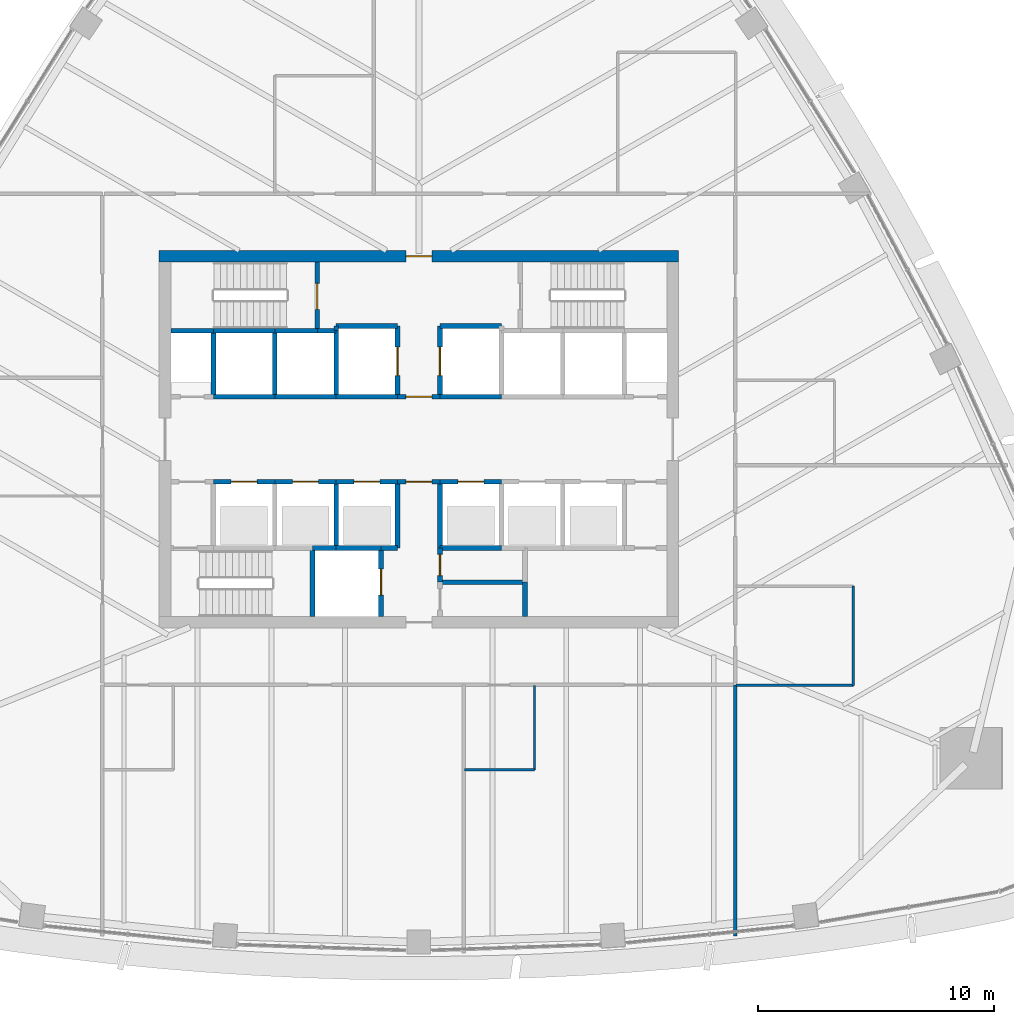
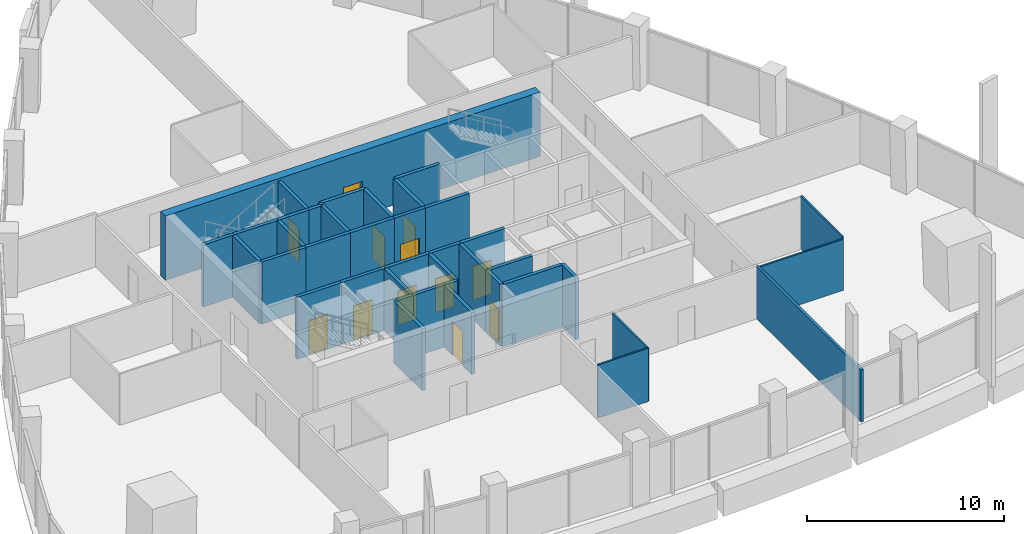
# One storey, part 10 of 19: 41 walls, 12 doors, 12 openings.
"""IFC4 building model written with IfcOpenShell, lengths in metres."""

from ifc_helpers import new_model, si_unit, direction, frame, frame_2d, origin, place, context, subcontext, project, spatial, rectangle, extrude, material, layer, layer_set, type_object, element, fill, save


model = new_model("IFC4")

# Units and contexts
model_context = context("Model", 3, precision=1e-05, world=origin(), true_north=direction((0.0, 1.0)))
body_context = subcontext(model_context, "Body", "Model", "MODEL_VIEW")
ifc_project = project(units=[si_unit("LENGTHUNIT", "METRE"), si_unit("AREAUNIT", "SQUARE_METRE"), si_unit("VOLUMEUNIT", "CUBIC_METRE"), si_unit("PLANEANGLEUNIT", "RADIAN"), si_unit("MASSUNIT", "GRAM", prefix="KILO")], contexts=[model_context])

# Site, building, storey
site_placement = place(None, origin())
site = spatial("IfcSite", under=ifc_project, at=site_placement, CompositionType="ELEMENT")
building_placement = place(site_placement, origin())
building = spatial("IfcBuilding", under=site, at=building_placement, Name="Sierra Prisma Convention Tower", CompositionType="ELEMENT")
storey_placement = place(building_placement, frame((0.0, 0.0, 185.800048828125)))
storey = spatial("IfcBuildingStorey", under=building, at=storey_placement, Name="L41", CompositionType="ELEMENT", Elevation=185.800048828125)

# Walls
ifc_material_1 = material(Name="Gypsum board partition", Category="gypsum")
ifc_layer_1 = layer(ifc_material_1, 0.10009765625)
ifc_layer_set_1 = layer_set([ifc_layer_1], Name="Bathroom partition 100")
wall_type_1 = type_object("IfcWallType", Name="Bathroom partition 100", PredefinedType="PARTITIONING", material=ifc_layer_set_1)
wall_1_placement = place(storey_placement, frame((4.89990234375, -10.429931640625, 0.0), z_axis=(0.0, 0.0, 1.0), x_axis=(0.0, -1.0, 0.0)))
element("IfcWall", 1, at=wall_1_placement, inside=storey, type_object=wall_type_1, Name="Partition L41 bath 7", PredefinedType="PARTITIONING", context=body_context, shape_type="SweptSolid", body=[
    extrude(rectangle(XDim=3.570068359375, YDim=0.10009765625, at=frame_2d((1.78515625, 0.0))), origin(), (0.0, 0.0, 1.0), 3.300048828125),
])
wall_2_placement = place(storey_placement, frame((4.89990234375, -14.0, 0.0), z_axis=(0.0, 0.0, 1.0), x_axis=(-1.0, 0.0, 0.0)))
element("IfcWall", 2, at=wall_2_placement, inside=storey, type_object=wall_type_1, Name="Partition L41 bath 8", PredefinedType="PARTITIONING", context=body_context, shape_type="SweptSolid", body=[
    extrude(rectangle(XDim=2.969970703125, YDim=0.10009765625, at=frame_2d((1.48486328125, 0.0))), origin(), (0.0, 0.0, 1.0), 3.300048828125),
])
wall_3_placement = place(storey_placement, frame((18.39990234375, -6.219970703125, 0.0), z_axis=(0.0, 0.0, 1.0), x_axis=(0.0, -1.0, 0.0)))
element("IfcWall", 3, at=wall_3_placement, inside=storey, type_object=wall_type_1, Name="Partition L41 bath 13", PredefinedType="PARTITIONING", context=body_context, shape_type="SweptSolid", body=[
    extrude(rectangle(XDim=4.199951171875, YDim=0.10009765625, at=frame_2d((2.10009765625, 0.0))), origin(), (0.0, 0.0, 1.0), 3.300048828125),
])
wall_4_placement = place(storey_placement, frame((18.39990234375, -10.419921875, 0.0), z_axis=(0.0, 0.0, 1.0), x_axis=(-1.0, 0.0, 0.0)))
element("IfcWall", 4, at=wall_4_placement, inside=storey, type_object=wall_type_1, Name="Partition L41 bath 14", PredefinedType="PARTITIONING", context=body_context, shape_type="SweptSolid", body=[
    extrude(rectangle(XDim=4.969970703125, YDim=0.10009765625, at=frame_2d((2.48486328125, 0.0))), origin(), (0.0, 0.0, 1.0), 3.166015625),
])
ifc_material_2 = material(Name="Concrete C30/37", Category="concrete")
ifc_layer_2 = layer(ifc_material_2, 0.199951171875)
ifc_layer_set_2 = layer_set([ifc_layer_2], Name="Core wall RC 200 C30/37")
wall_type_2 = type_object("IfcWallType", Name="Core wall RC 200 C30/37", PredefinedType="SOLIDWALL", material=ifc_layer_set_2)
wall_5_placement = place(storey_placement, frame((-8.699951171875, 4.60009765625, 0.0), z_axis=(0.0, 0.0, 1.0), x_axis=(-1.0, 0.0, 0.0)))
element("IfcWall", 5, at=wall_5_placement, inside=storey, type_object=wall_type_2, Name="Core wall L41 4", PredefinedType="SOLIDWALL", context=body_context, shape_type="SweptSolid", body=[
    extrude(rectangle(XDim=1.800048828125, YDim=0.199951171875, at=frame_2d((0.89990234375, 0.0))), origin(), (0.0, 0.0, 1.0), 3.849853515625),
])

# Wall, opening, door
wall_6_placement = place(storey_placement, frame((-8.699951171875, -1.800048828125, 0.0), z_axis=(0.0, 0.0, 1.0), x_axis=(1.0, 0.0, 0.0)))
wall_6 = element("IfcWall", 6, at=wall_6_placement, inside=storey, type_object=wall_type_2, Name="Core wall L41 7", PredefinedType="SOLIDWALL", context=body_context, shape_type="SweptSolid", body=[
    extrude(rectangle(XDim=2.599853515625, YDim=0.199951171875, at=frame_2d((1.2998046875, 0.0))), origin(), (0.0, 0.0, 1.0), 3.849853515625),
])
opening_1_placement = place(wall_6_placement, frame((0.75, 0.0, 0.0)))
opening_1 = element("IfcOpeningElement", 7, at=opening_1_placement, cuts=wall_6, Name="Opening L41-D001", PredefinedType="OPENING", context=body_context, shape_type="SweptSolid", body=[
    extrude(rectangle(XDim=1.10009765625, YDim=2.10009765625, at=frame_2d((0.550048828125, 1.050048828125))), frame((0.0, 0.10009765625, 0.0), z_axis=(0.0, -1.0, 0.0), x_axis=(1.0, 0.0, 0.0)), (0.0, 0.0, 1.0), 0.199951171875),
])
ifc_material_3 = material(Name="Steel fire door leaf", Category="steel")
door_type_1 = type_object("IfcDoorType", Name="Door 1100x2100 EI 90 sliding lift landing", OperationType="SLIDING_TO_LEFT", PredefinedType="DOOR", material=ifc_material_3)
door_1_placement = place(opening_1_placement, origin())
door_1 = element("IfcDoor", 8, at=door_1_placement, inside=storey, type_object=door_type_1, Name="Door L41 16", OperationType="SLIDING_TO_RIGHT", OverallHeight=2.10009765625, OverallWidth=1.10009765625, PredefinedType="DOOR", context=body_context, shape_type="SweptSolid", body=[
    extrude(rectangle(XDim=1.10009765625, YDim=2.10009765625, at=frame_2d((0.550048828125, 1.050048828125))), frame((0.0, 0.02490234375, 0.0), z_axis=(0.0, -1.0, 0.0), x_axis=(1.0, 0.0, 0.0)), (0.0, 0.0, 1.0), 0.050048828125),
])
fill(opening_1, door_1)

# Walls
wall_7_placement = place(storey_placement, frame((-6.10009765625, 1.800048828125, 0.0), z_axis=(0.0, 0.0, 1.0), x_axis=(-1.0, 0.0, 0.0)))
element("IfcWall", 9, at=wall_7_placement, inside=storey, type_object=wall_type_2, Name="Core wall L41 8", PredefinedType="SOLIDWALL", context=body_context, shape_type="SweptSolid", body=[
    extrude(rectangle(XDim=2.599853515625, YDim=0.199951171875, at=frame_2d((1.2998046875, 0.0))), origin(), (0.0, 0.0, 1.0), 3.849853515625),
])
wall_8_placement = place(storey_placement, frame((-8.699951171875, 1.800048828125, 0.0), z_axis=(0.0, 0.0, 1.0), x_axis=(0.0, 1.0, 0.0)))
element("IfcWall", 10, at=wall_8_placement, inside=storey, type_object=wall_type_2, Name="Core wall L41 9", PredefinedType="SOLIDWALL", context=body_context, shape_type="SweptSolid", body=[
    extrude(rectangle(XDim=2.800048828125, YDim=0.199951171875, at=frame_2d((1.39990234375, 0.0))), origin(), (0.0, 0.0, 1.0), 3.849853515625),
])
wall_9_placement = place(storey_placement, frame((-6.10009765625, 4.60009765625, 0.0), z_axis=(0.0, 0.0, 1.0), x_axis=(-1.0, 0.0, 0.0)))
element("IfcWall", 11, at=wall_9_placement, inside=storey, type_object=wall_type_2, Name="Core wall L41 10", PredefinedType="SOLIDWALL", context=body_context, shape_type="SweptSolid", body=[
    extrude(rectangle(XDim=2.599853515625, YDim=0.199951171875, at=frame_2d((1.2998046875, 0.0))), origin(), (0.0, 0.0, 1.0), 3.849853515625),
])

# Wall, opening, door
wall_10_placement = place(storey_placement, frame((-6.10009765625, -1.800048828125, 0.0), z_axis=(0.0, 0.0, 1.0), x_axis=(1.0, 0.0, 0.0)))
wall_10 = element("IfcWall", 12, at=wall_10_placement, inside=storey, type_object=wall_type_2, Name="Core wall L41 13", PredefinedType="SOLIDWALL", context=body_context, shape_type="SweptSolid", body=[
    extrude(rectangle(XDim=2.60009765625, YDim=0.199951171875, at=frame_2d((1.300048828125, 0.0))), origin(), (0.0, 0.0, 1.0), 3.849853515625),
])
opening_2_placement = place(wall_10_placement, frame((0.75, 0.0, 0.0)))
opening_2 = element("IfcOpeningElement", 13, at=opening_2_placement, cuts=wall_10, Name="Opening L41-D002", PredefinedType="OPENING", context=body_context, shape_type="SweptSolid", body=[
    extrude(rectangle(XDim=1.10009765625, YDim=2.10009765625, at=frame_2d((0.550048828125, 1.050048828125))), frame((0.0, 0.10009765625, 0.0), z_axis=(0.0, -1.0, 0.0), x_axis=(1.0, 0.0, 0.0)), (0.0, 0.0, 1.0), 0.199951171875),
])
door_2_placement = place(opening_2_placement, origin())
door_2 = element("IfcDoor", 14, at=door_2_placement, inside=storey, type_object=door_type_1, Name="Door L41 17", OperationType="SLIDING_TO_RIGHT", OverallHeight=2.10009765625, OverallWidth=1.10009765625, PredefinedType="DOOR", context=body_context, shape_type="SweptSolid", body=[
    extrude(rectangle(XDim=1.10009765625, YDim=2.10009765625, at=frame_2d((0.550048828125, 1.050048828125))), frame((0.0, 0.02490234375, 0.0), z_axis=(0.0, -1.0, 0.0), x_axis=(1.0, 0.0, 0.0)), (0.0, 0.0, 1.0), 0.050048828125),
])
fill(opening_2, door_2)

# Walls
wall_11_placement = place(storey_placement, frame((-3.5, 1.800048828125, 0.0), z_axis=(0.0, 0.0, 1.0), x_axis=(-1.0, 0.0, 0.0)))
element("IfcWall", 15, at=wall_11_placement, inside=storey, type_object=wall_type_2, Name="Core wall L41 14", PredefinedType="SOLIDWALL", context=body_context, shape_type="SweptSolid", body=[
    extrude(rectangle(XDim=2.60009765625, YDim=0.199951171875, at=frame_2d((1.300048828125, 0.0))), origin(), (0.0, 0.0, 1.0), 3.849853515625),
])
wall_12_placement = place(storey_placement, frame((-6.10009765625, 1.800048828125, 0.0), z_axis=(0.0, 0.0, 1.0), x_axis=(0.0, 1.0, 0.0)))
element("IfcWall", 16, at=wall_12_placement, inside=storey, type_object=wall_type_2, Name="Core wall L41 15", PredefinedType="SOLIDWALL", context=body_context, shape_type="SweptSolid", body=[
    extrude(rectangle(XDim=2.800048828125, YDim=0.199951171875, at=frame_2d((1.39990234375, 0.0))), origin(), (0.0, 0.0, 1.0), 3.849853515625),
])
wall_13_placement = place(storey_placement, frame((-4.300048828125, 4.60009765625, 0.0), z_axis=(0.0, 0.0, 1.0), x_axis=(-1.0, 0.0, 0.0)))
element("IfcWall", 17, at=wall_13_placement, inside=storey, type_object=wall_type_2, Name="Core wall L41 16", PredefinedType="SOLIDWALL", context=body_context, shape_type="SweptSolid", body=[
    extrude(rectangle(XDim=1.800048828125, YDim=0.199951171875, at=frame_2d((0.89990234375, 0.0))), origin(), (0.0, 0.0, 1.0), 3.849853515625),
])
wall_14_placement = place(storey_placement, frame((-4.5, -4.60009765625, 0.0), z_axis=(0.0, 0.0, 1.0), x_axis=(0.0, -1.0, 0.0)))
element("IfcWall", 18, at=wall_14_placement, inside=storey, type_object=wall_type_2, Name="Core wall L41 17", PredefinedType="SOLIDWALL", context=body_context, shape_type="SweptSolid", body=[
    extrude(rectangle(XDim=2.89990234375, YDim=0.199951171875, at=frame_2d((1.449951171875, 0.0))), origin(), (0.0, 0.0, 1.0), 3.849853515625),
])
wall_15_placement = place(storey_placement, frame((-4.5, -4.60009765625, 0.0), z_axis=(0.0, 0.0, 1.0), x_axis=(1.0, 0.0, 0.0)))
element("IfcWall", 19, at=wall_15_placement, inside=storey, type_object=wall_type_2, Name="Core wall L41 18", PredefinedType="SOLIDWALL", context=body_context, shape_type="SweptSolid", body=[
    extrude(rectangle(XDim=1.0, YDim=0.199951171875, at=frame_2d((0.5, 0.0))), origin(), (0.0, 0.0, 1.0), 3.849853515625),
])
wall_16_placement = place(storey_placement, frame((-3.5, 4.60009765625, 0.0), z_axis=(0.0, 0.0, 1.0), x_axis=(-1.0, 0.0, 0.0)))
element("IfcWall", 20, at=wall_16_placement, inside=storey, type_object=wall_type_2, Name="Core wall L41 19", PredefinedType="SOLIDWALL", context=body_context, shape_type="SweptSolid", body=[
    extrude(rectangle(XDim=0.800048828125, YDim=0.199951171875, at=frame_2d((0.39990234375, 0.0))), origin(), (0.0, 0.0, 1.0), 3.849853515625),
])

# Wall, opening, door
wall_17_placement = place(storey_placement, frame((-4.300048828125, 4.60009765625, 0.0), z_axis=(0.0, 0.0, 1.0), x_axis=(0.0, 1.0, 0.0)))
wall_17 = element("IfcWall", 21, at=wall_17_placement, inside=storey, type_object=wall_type_2, Name="Core wall L41 20", PredefinedType="SOLIDWALL", context=body_context, shape_type="SweptSolid", body=[
    extrude(rectangle(XDim=2.89990234375, YDim=0.199951171875, at=frame_2d((1.449951171875, 0.0))), origin(), (0.0, 0.0, 1.0), 3.849853515625),
])
opening_3_placement = place(wall_17_placement, frame((0.89990234375, 0.0, 0.0)))
opening_3 = element("IfcOpeningElement", 22, at=opening_3_placement, cuts=wall_17, Name="Opening L41-D016", PredefinedType="OPENING", context=body_context, shape_type="SweptSolid", body=[
    extrude(rectangle(XDim=1.10009765625, YDim=2.10009765625, at=frame_2d((0.550048828125, 1.050048828125))), frame((0.0, 0.10009765625, 0.0), z_axis=(0.0, -1.0, 0.0), x_axis=(1.0, 0.0, 0.0)), (0.0, 0.0, 1.0), 0.199951171875),
])
ifc_material_4 = material(Name="Steel fire door leaf", Category="steel")
door_type_2 = type_object("IfcDoorType", Name="Door 1100x2100 FD90S", OperationType="SINGLE_SWING_LEFT", PredefinedType="DOOR", material=ifc_material_4)
door_3_placement = place(opening_3_placement, origin())
door_3 = element("IfcDoor", 23, at=door_3_placement, inside=storey, type_object=door_type_2, Name="Door L41 31", OperationType="SINGLE_SWING_LEFT", OverallHeight=2.10009765625, OverallWidth=1.10009765625, PredefinedType="DOOR", context=body_context, shape_type="SweptSolid", body=[
    extrude(rectangle(XDim=1.10009765625, YDim=2.10009765625, at=frame_2d((0.550048828125, 1.050048828125))), frame((0.0, 0.02490234375, 0.0), z_axis=(0.0, -1.0, 0.0), x_axis=(1.0, 0.0, 0.0)), (0.0, 0.0, 1.0), 0.050048828125),
])
fill(opening_3, door_3)

# Walls
wall_18_placement = place(storey_placement, frame((-3.5, -4.60009765625, 0.0), z_axis=(0.0, 0.0, 1.0), x_axis=(1.0, 0.0, 0.0)))
element("IfcWall", 24, at=wall_18_placement, inside=storey, type_object=wall_type_2, Name="Core wall L41 21", PredefinedType="SOLIDWALL", context=body_context, shape_type="SweptSolid", body=[
    extrude(rectangle(XDim=1.89990234375, YDim=0.199951171875, at=frame_2d((0.949951171875, 0.0))), origin(), (0.0, 0.0, 1.0), 3.849853515625),
])
wall_19_placement = place(storey_placement, frame((-3.5, -4.60009765625, 0.0), z_axis=(0.0, 0.0, 1.0), x_axis=(0.0, 1.0, 0.0)))
element("IfcWall", 25, at=wall_19_placement, inside=storey, type_object=wall_type_2, Name="Core wall L41 22", PredefinedType="SOLIDWALL", context=body_context, shape_type="SweptSolid", body=[
    extrude(rectangle(XDim=2.800048828125, YDim=0.199951171875, at=frame_2d((1.39990234375, 0.0))), origin(), (0.0, 0.0, 1.0), 3.849853515625),
])

# Wall, opening, door
wall_20_placement = place(storey_placement, frame((-3.5, -1.800048828125, 0.0), z_axis=(0.0, 0.0, 1.0), x_axis=(1.0, 0.0, 0.0)))
wall_20 = element("IfcWall", 26, at=wall_20_placement, inside=storey, type_object=wall_type_2, Name="Core wall L41 23", PredefinedType="SOLIDWALL", context=body_context, shape_type="SweptSolid", body=[
    extrude(rectangle(XDim=2.60009765625, YDim=0.199951171875, at=frame_2d((1.300048828125, 0.0))), origin(), (0.0, 0.0, 1.0), 3.849853515625),
])
opening_4_placement = place(wall_20_placement, frame((0.75, 0.0, 0.0)))
opening_4 = element("IfcOpeningElement", 27, at=opening_4_placement, cuts=wall_20, Name="Opening L41-D003", PredefinedType="OPENING", context=body_context, shape_type="SweptSolid", body=[
    extrude(rectangle(XDim=1.10009765625, YDim=2.10009765625, at=frame_2d((0.550048828125, 1.050048828125))), frame((0.0, 0.10009765625, 0.0), z_axis=(0.0, -1.0, 0.0), x_axis=(1.0, 0.0, 0.0)), (0.0, 0.0, 1.0), 0.199951171875),
])
door_4_placement = place(opening_4_placement, origin())
door_4 = element("IfcDoor", 28, at=door_4_placement, inside=storey, type_object=door_type_1, Name="Door L41 18", OperationType="SLIDING_TO_RIGHT", OverallHeight=2.10009765625, OverallWidth=1.10009765625, PredefinedType="DOOR", context=body_context, shape_type="SweptSolid", body=[
    extrude(rectangle(XDim=1.10009765625, YDim=2.10009765625, at=frame_2d((0.550048828125, 1.050048828125))), frame((0.0, 0.02490234375, 0.0), z_axis=(0.0, -1.0, 0.0), x_axis=(1.0, 0.0, 0.0)), (0.0, 0.0, 1.0), 0.050048828125),
])
fill(opening_4, door_4)

# Walls
wall_21_placement = place(storey_placement, frame((-0.89990234375, 1.800048828125, 0.0), z_axis=(0.0, 0.0, 1.0), x_axis=(-1.0, 0.0, 0.0)))
element("IfcWall", 29, at=wall_21_placement, inside=storey, type_object=wall_type_2, Name="Core wall L41 24", PredefinedType="SOLIDWALL", context=body_context, shape_type="SweptSolid", body=[
    extrude(rectangle(XDim=2.60009765625, YDim=0.199951171875, at=frame_2d((1.300048828125, 0.0))), origin(), (0.0, 0.0, 1.0), 3.849853515625),
])
wall_22_placement = place(storey_placement, frame((-3.5, 4.60009765625, 0.0), z_axis=(0.0, 0.0, 1.0), x_axis=(0.0, -1.0, 0.0)))
element("IfcWall", 30, at=wall_22_placement, inside=storey, type_object=wall_type_2, Name="Core wall L41 25", PredefinedType="SOLIDWALL", context=body_context, shape_type="SweptSolid", body=[
    extrude(rectangle(XDim=2.800048828125, YDim=0.199951171875, at=frame_2d((1.39990234375, 0.0))), origin(), (0.0, 0.0, 1.0), 3.849853515625),
])

# Wall, opening, door
wall_23_placement = place(storey_placement, frame((-0.89990234375, 1.800048828125, 0.0), z_axis=(0.0, 0.0, 1.0), x_axis=(0.0, 1.0, 0.0)))
wall_23 = element("IfcWall", 31, at=wall_23_placement, inside=storey, type_object=wall_type_2, Name="Core wall L41 26", PredefinedType="SOLIDWALL", context=body_context, shape_type="SweptSolid", body=[
    extrude(rectangle(XDim=3.0, YDim=0.199951171875, at=frame_2d((1.5, 0.0))), origin(), (0.0, 0.0, 1.0), 3.849853515625),
])
opening_5_placement = place(wall_23_placement, frame((0.89990234375, 0.0, 0.0)))
opening_5 = element("IfcOpeningElement", 32, at=opening_5_placement, cuts=wall_23, Name="Opening L41-D007", PredefinedType="OPENING", context=body_context, shape_type="SweptSolid", body=[
    extrude(rectangle(XDim=1.199951171875, YDim=2.10009765625, at=frame_2d((0.60009765625, 1.050048828125))), frame((0.0, 0.10009765625, 0.0), z_axis=(0.0, -1.0, 0.0), x_axis=(1.0, 0.0, 0.0)), (0.0, 0.0, 1.0), 0.199951171875),
])
ifc_material_5 = material(Name="Steel fire door leaf", Category="steel")
door_type_3 = type_object("IfcDoorType", Name="Door 1200x2100 EI 90 sliding lift landing", OperationType="SLIDING_TO_LEFT", PredefinedType="DOOR", material=ifc_material_5)
door_5_placement = place(opening_5_placement, origin())
door_5 = element("IfcDoor", 33, at=door_5_placement, inside=storey, type_object=door_type_3, Name="Door L41 22", OperationType="SLIDING_TO_RIGHT", OverallHeight=2.10009765625, OverallWidth=1.199951171875, PredefinedType="DOOR", context=body_context, shape_type="SweptSolid", body=[
    extrude(rectangle(XDim=1.199951171875, YDim=2.10009765625, at=frame_2d((0.60009765625, 1.050048828125))), frame((0.0, 0.02490234375, 0.0), z_axis=(0.0, -1.0, 0.0), x_axis=(1.0, 0.0, 0.0)), (0.0, 0.0, 1.0), 0.050048828125),
])
fill(opening_5, door_5)

# Walls
wall_24_placement = place(storey_placement, frame((-0.89990234375, 4.800048828125, 0.0), z_axis=(0.0, 0.0, 1.0), x_axis=(-1.0, 0.0, 0.0)))
element("IfcWall", 34, at=wall_24_placement, inside=storey, type_object=wall_type_2, Name="Core wall L41 27", PredefinedType="SOLIDWALL", context=body_context, shape_type="SweptSolid", body=[
    extrude(rectangle(XDim=2.60009765625, YDim=0.199951171875, at=frame_2d((1.300048828125, 0.0))), origin(), (0.0, 0.0, 1.0), 3.849853515625),
])
wall_25_placement = place(storey_placement, frame((-3.5, 4.800048828125, 0.0), z_axis=(0.0, 0.0, 1.0), x_axis=(0.0, -1.0, 0.0)))
element("IfcWall", 35, at=wall_25_placement, inside=storey, type_object=wall_type_2, Name="Core wall L41 28", PredefinedType="SOLIDWALL", context=body_context, shape_type="SweptSolid", body=[
    extrude(rectangle(XDim=0.199951171875, YDim=0.199951171875, at=frame_2d((0.10009765625, 0.0))), origin(), (0.0, 0.0, 1.0), 3.849853515625),
])

# Wall, opening, door
wall_26_placement = place(storey_placement, frame((-1.60009765625, -7.5, 0.0), z_axis=(0.0, 0.0, 1.0), x_axis=(0.0, 1.0, 0.0)))
wall_26 = element("IfcWall", 36, at=wall_26_placement, inside=storey, type_object=wall_type_2, Name="Core wall L41 29", PredefinedType="SOLIDWALL", context=body_context, shape_type="SweptSolid", body=[
    extrude(rectangle(XDim=2.89990234375, YDim=0.199951171875, at=frame_2d((1.449951171875, 0.0))), origin(), (0.0, 0.0, 1.0), 3.849853515625),
])
opening_6_placement = place(wall_26_placement, frame((0.89990234375, 0.0, 0.0)))
opening_6 = element("IfcOpeningElement", 37, at=opening_6_placement, cuts=wall_26, Name="Opening L41-D009", PredefinedType="OPENING", context=body_context, shape_type="SweptSolid", body=[
    extrude(rectangle(XDim=1.10009765625, YDim=2.10009765625, at=frame_2d((0.550048828125, 1.050048828125))), frame((0.0, 0.10009765625, 0.0), z_axis=(0.0, -1.0, 0.0), x_axis=(1.0, 0.0, 0.0)), (0.0, 0.0, 1.0), 0.199951171875),
])
door_6_placement = place(opening_6_placement, origin())
door_6 = element("IfcDoor", 38, at=door_6_placement, inside=storey, type_object=door_type_1, Name="Door L41 24", OperationType="SLIDING_TO_RIGHT", OverallHeight=2.10009765625, OverallWidth=1.10009765625, PredefinedType="DOOR", context=body_context, shape_type="SweptSolid", body=[
    extrude(rectangle(XDim=1.10009765625, YDim=2.10009765625, at=frame_2d((0.550048828125, 1.050048828125))), frame((0.0, 0.02490234375, 0.0), z_axis=(0.0, -1.0, 0.0), x_axis=(1.0, 0.0, 0.0)), (0.0, 0.0, 1.0), 0.050048828125),
])
fill(opening_6, door_6)

# Walls
wall_27_placement = place(storey_placement, frame((-1.60009765625, -4.60009765625, 0.0), z_axis=(0.0, 0.0, 1.0), x_axis=(1.0, 0.0, 0.0)))
element("IfcWall", 39, at=wall_27_placement, inside=storey, type_object=wall_type_2, Name="Core wall L41 30", PredefinedType="SOLIDWALL", context=body_context, shape_type="SweptSolid", body=[
    extrude(rectangle(XDim=0.7001953125, YDim=0.199951171875, at=frame_2d((0.35009765625, 0.0))), origin(), (0.0, 0.0, 1.0), 3.849853515625),
])
wall_28_placement = place(storey_placement, frame((-0.89990234375, -4.60009765625, 0.0), z_axis=(0.0, 0.0, 1.0), x_axis=(0.0, 1.0, 0.0)))
element("IfcWall", 40, at=wall_28_placement, inside=storey, type_object=wall_type_2, Name="Core wall L41 31", PredefinedType="SOLIDWALL", context=body_context, shape_type="SweptSolid", body=[
    extrude(rectangle(XDim=2.800048828125, YDim=0.199951171875, at=frame_2d((1.39990234375, 0.0))), origin(), (0.0, 0.0, 1.0), 3.849853515625),
])

# Wall, opening, door
wall_29_placement = place(storey_placement, frame((-0.89990234375, -1.800048828125, 0.0), z_axis=(0.0, 0.0, 1.0), x_axis=(1.0, 0.0, 0.0)))
wall_29 = element("IfcWall", 41, at=wall_29_placement, inside=storey, type_object=wall_type_2, Name="Core wall L41 32", PredefinedType="SOLIDWALL", context=body_context, shape_type="SweptSolid", body=[
    extrude(rectangle(XDim=1.7998046875, YDim=0.199951171875, at=frame_2d((0.89990234375, 0.0))), origin(), (0.0, 0.0, 1.0), 3.849853515625),
])
opening_7_placement = place(wall_29_placement, frame((0.35009765625, 0.0, 0.0)))
opening_7 = element("IfcOpeningElement", 42, at=opening_7_placement, cuts=wall_29, Name="Opening L41-D012", PredefinedType="OPENING", context=body_context, shape_type="SweptSolid", body=[
    extrude(rectangle(XDim=1.10009765625, YDim=2.10009765625, at=frame_2d((0.550048828125, 1.050048828125))), frame((0.0, 0.10009765625, 0.0), z_axis=(0.0, -1.0, 0.0), x_axis=(1.0, 0.0, 0.0)), (0.0, 0.0, 1.0), 0.199951171875),
])
ifc_material_6 = material(Name="Steel fire door leaf", Category="steel")
door_type_4 = type_object("IfcDoorType", Name="Door 1100x2100 FD30S", OperationType="SINGLE_SWING_LEFT", PredefinedType="DOOR", material=ifc_material_6)
door_7_placement = place(opening_7_placement, origin())
door_7 = element("IfcDoor", 43, at=door_7_placement, inside=storey, type_object=door_type_4, Name="Door L41 27", OperationType="SINGLE_SWING_LEFT", OverallHeight=2.10009765625, OverallWidth=1.10009765625, PredefinedType="DOOR", context=body_context, shape_type="SweptSolid", body=[
    extrude(rectangle(XDim=1.10009765625, YDim=2.10009765625, at=frame_2d((0.550048828125, 1.050048828125))), frame((0.0, 0.02490234375, 0.0), z_axis=(0.0, -1.0, 0.0), x_axis=(1.0, 0.0, 0.0)), (0.0, 0.0, 1.0), 0.050048828125),
])
fill(opening_7, door_7)

wall_30_placement = place(storey_placement, frame((0.89990234375, 1.800048828125, 0.0), z_axis=(0.0, 0.0, 1.0), x_axis=(-1.0, 0.0, 0.0)))
wall_30 = element("IfcWall", 44, at=wall_30_placement, inside=storey, type_object=wall_type_2, Name="Core wall L41 33", PredefinedType="SOLIDWALL", context=body_context, shape_type="SweptSolid", body=[
    extrude(rectangle(XDim=1.7998046875, YDim=0.199951171875, at=frame_2d((0.89990234375, 0.0))), origin(), (0.0, 0.0, 1.0), 3.849853515625),
])
opening_8_placement = place(wall_30_placement, frame((0.35009765625, 0.0, 0.0)))
opening_8 = element("IfcOpeningElement", 45, at=opening_8_placement, cuts=wall_30, Name="Opening L41-D011", PredefinedType="OPENING", context=body_context, shape_type="SweptSolid", body=[
    extrude(rectangle(XDim=1.10009765625, YDim=2.10009765625, at=frame_2d((0.550048828125, 1.050048828125))), frame((0.0, 0.10009765625, 0.0), z_axis=(0.0, -1.0, 0.0), x_axis=(1.0, 0.0, 0.0)), (0.0, 0.0, 1.0), 0.199951171875),
])
ifc_material_7 = material(Name="Steel fire door leaf", Category="steel")
door_type_5 = type_object("IfcDoorType", Name="Door 1100x2100 FD60S", OperationType="SINGLE_SWING_LEFT", PredefinedType="DOOR", material=ifc_material_7)
door_8_placement = place(opening_8_placement, origin())
door_8 = element("IfcDoor", 46, at=door_8_placement, inside=storey, type_object=door_type_5, Name="Door L41 26", OperationType="SINGLE_SWING_RIGHT", OverallHeight=2.10009765625, OverallWidth=1.10009765625, PredefinedType="DOOR", context=body_context, shape_type="SweptSolid", body=[
    extrude(rectangle(XDim=1.10009765625, YDim=2.10009765625, at=frame_2d((0.550048828125, 1.050048828125))), frame((0.0, 0.02490234375, 0.0), z_axis=(0.0, -1.0, 0.0), x_axis=(1.0, 0.0, 0.0)), (0.0, 0.0, 1.0), 0.050048828125),
])
fill(opening_8, door_8)

# Wall
wall_31_placement = place(storey_placement, frame((4.5, -6.050048828125, 0.0), z_axis=(0.0, 0.0, 1.0), x_axis=(-1.0, 0.0, 0.0)))
element("IfcWall", 47, at=wall_31_placement, inside=storey, type_object=wall_type_2, Name="Core wall L41 35", PredefinedType="SOLIDWALL", context=body_context, shape_type="SweptSolid", body=[
    extrude(rectangle(XDim=3.60009765625, YDim=0.199951171875, at=frame_2d((1.800048828125, 0.0))), origin(), (0.0, 0.0, 1.0), 3.849853515625),
])

# Wall, opening, door
wall_32_placement = place(storey_placement, frame((0.89990234375, -4.60009765625, 0.0), z_axis=(0.0, 0.0, 1.0), x_axis=(0.0, -1.0, 0.0)))
wall_32 = element("IfcWall", 48, at=wall_32_placement, inside=storey, type_object=wall_type_2, Name="Core wall L41 36", PredefinedType="SOLIDWALL", context=body_context, shape_type="SweptSolid", body=[
    extrude(rectangle(XDim=1.449951171875, YDim=0.199951171875, at=frame_2d((0.72509765625, 0.0))), origin(), (0.0, 0.0, 1.0), 3.849853515625),
])
opening_9_placement = place(wall_32_placement, frame((0.27490234375, 0.0, 0.0)))
opening_9 = element("IfcOpeningElement", 49, at=opening_9_placement, cuts=wall_32, Name="Opening L41-D021", PredefinedType="OPENING", context=body_context, shape_type="SweptSolid", body=[
    extrude(rectangle(XDim=0.89990234375, YDim=2.10009765625, at=frame_2d((0.449951171875, 1.050048828125))), frame((0.0, 0.10009765625, 0.0), z_axis=(0.0, -1.0, 0.0), x_axis=(1.0, 0.0, 0.0)), (0.0, 0.0, 1.0), 0.199951171875),
])
ifc_material_8 = material(Name="Steel fire door leaf", Category="steel")
door_type_6 = type_object("IfcDoorType", Name="Door 900x2100 FD30S", OperationType="SINGLE_SWING_LEFT", PredefinedType="DOOR", material=ifc_material_8)
door_9_placement = place(opening_9_placement, origin())
door_9 = element("IfcDoor", 50, at=door_9_placement, inside=storey, type_object=door_type_6, Name="Door L41 36", OperationType="SINGLE_SWING_RIGHT", OverallHeight=2.10009765625, OverallWidth=0.89990234375, PredefinedType="DOOR", context=body_context, shape_type="SweptSolid", body=[
    extrude(rectangle(XDim=0.89990234375, YDim=2.10009765625, at=frame_2d((0.449951171875, 1.050048828125))), frame((0.0, 0.02490234375, 0.0), z_axis=(0.0, -1.0, 0.0), x_axis=(1.0, 0.0, 0.0)), (0.0, 0.0, 1.0), 0.050048828125),
])
fill(opening_9, door_9)

# Walls
wall_33_placement = place(storey_placement, frame((3.5, -4.60009765625, 0.0), z_axis=(0.0, 0.0, 1.0), x_axis=(-1.0, 0.0, 0.0)))
element("IfcWall", 51, at=wall_33_placement, inside=storey, type_object=wall_type_2, Name="Core wall L41 37", PredefinedType="SOLIDWALL", context=body_context, shape_type="SweptSolid", body=[
    extrude(rectangle(XDim=2.60009765625, YDim=0.199951171875, at=frame_2d((1.300048828125, 0.0))), origin(), (0.0, 0.0, 1.0), 3.849853515625),
])
wall_34_placement = place(storey_placement, frame((0.89990234375, -1.800048828125, 0.0), z_axis=(0.0, 0.0, 1.0), x_axis=(0.0, -1.0, 0.0)))
element("IfcWall", 52, at=wall_34_placement, inside=storey, type_object=wall_type_2, Name="Core wall L41 38", PredefinedType="SOLIDWALL", context=body_context, shape_type="SweptSolid", body=[
    extrude(rectangle(XDim=2.800048828125, YDim=0.199951171875, at=frame_2d((1.39990234375, 0.0))), origin(), (0.0, 0.0, 1.0), 3.849853515625),
])

# Wall, opening, door
wall_35_placement = place(storey_placement, frame((0.89990234375, -1.800048828125, 0.0), z_axis=(0.0, 0.0, 1.0), x_axis=(1.0, 0.0, 0.0)))
wall_35 = element("IfcWall", 53, at=wall_35_placement, inside=storey, type_object=wall_type_2, Name="Core wall L41 39", PredefinedType="SOLIDWALL", context=body_context, shape_type="SweptSolid", body=[
    extrude(rectangle(XDim=2.60009765625, YDim=0.199951171875, at=frame_2d((1.300048828125, 0.0))), origin(), (0.0, 0.0, 1.0), 3.849853515625),
])
opening_10_placement = place(wall_35_placement, frame((0.75, 0.0, 0.0)))
opening_10 = element("IfcOpeningElement", 54, at=opening_10_placement, cuts=wall_35, Name="Opening L41-D004", PredefinedType="OPENING", context=body_context, shape_type="SweptSolid", body=[
    extrude(rectangle(XDim=1.10009765625, YDim=2.10009765625, at=frame_2d((0.550048828125, 1.050048828125))), frame((0.0, 0.10009765625, 0.0), z_axis=(0.0, -1.0, 0.0), x_axis=(1.0, 0.0, 0.0)), (0.0, 0.0, 1.0), 0.199951171875),
])
door_10_placement = place(opening_10_placement, origin())
door_10 = element("IfcDoor", 55, at=door_10_placement, inside=storey, type_object=door_type_1, Name="Door L41 19", OperationType="SLIDING_TO_RIGHT", OverallHeight=2.10009765625, OverallWidth=1.10009765625, PredefinedType="DOOR", context=body_context, shape_type="SweptSolid", body=[
    extrude(rectangle(XDim=1.10009765625, YDim=2.10009765625, at=frame_2d((0.550048828125, 1.050048828125))), frame((0.0, 0.02490234375, 0.0), z_axis=(0.0, -1.0, 0.0), x_axis=(1.0, 0.0, 0.0)), (0.0, 0.0, 1.0), 0.050048828125),
])
fill(opening_10, door_10)

# Walls
for number, where, z_axis, x_axis, name in (
    (56, (3.5, 1.800048828125, 0.0), (0.0, 0.0, 1.0), (-1.0, 0.0, 0.0), "Core wall L41 40"),
    (57, (3.5, 4.800048828125, 0.0), (0.0, 0.0, 1.0), (-1.0, 0.0, 0.0), "Core wall L41 42"),
):
    element("IfcWall", number, at=place(storey_placement, frame(where, z_axis=z_axis, x_axis=x_axis)), inside=storey, type_object=wall_type_2, Name=name, PredefinedType="SOLIDWALL", context=body_context, shape_type="SweptSolid", body=[
        extrude(rectangle(XDim=2.60009765625, YDim=0.199951171875, at=frame_2d((1.300048828125, 0.0))), origin(), (0.0, 0.0, 1.0), 3.849853515625),
    ])

# Wall, opening, door
wall_36_placement = place(storey_placement, frame((0.89990234375, 4.800048828125, 0.0), z_axis=(0.0, 0.0, 1.0), x_axis=(0.0, -1.0, 0.0)))
wall_36 = element("IfcWall", 58, at=wall_36_placement, inside=storey, type_object=wall_type_2, Name="Core wall L41 43", PredefinedType="SOLIDWALL", context=body_context, shape_type="SweptSolid", body=[
    extrude(rectangle(XDim=3.0, YDim=0.199951171875, at=frame_2d((1.5, 0.0))), origin(), (0.0, 0.0, 1.0), 3.849853515625),
])
opening_11_placement = place(wall_36_placement, frame((0.89990234375, 0.0, 0.0)))
opening_11 = element("IfcOpeningElement", 59, at=opening_11_placement, cuts=wall_36, Name="Opening L41-D008", PredefinedType="OPENING", context=body_context, shape_type="SweptSolid", body=[
    extrude(rectangle(XDim=1.199951171875, YDim=2.10009765625, at=frame_2d((0.60009765625, 1.050048828125))), frame((0.0, 0.10009765625, 0.0), z_axis=(0.0, -1.0, 0.0), x_axis=(1.0, 0.0, 0.0)), (0.0, 0.0, 1.0), 0.199951171875),
])
door_11_placement = place(opening_11_placement, origin())
door_11 = element("IfcDoor", 60, at=door_11_placement, inside=storey, type_object=door_type_3, Name="Door L41 23", OperationType="SLIDING_TO_LEFT", OverallHeight=2.10009765625, OverallWidth=1.199951171875, PredefinedType="DOOR", context=body_context, shape_type="SweptSolid", body=[
    extrude(rectangle(XDim=1.199951171875, YDim=2.10009765625, at=frame_2d((0.60009765625, 1.050048828125))), frame((0.0, 0.02490234375, 0.0), z_axis=(0.0, -1.0, 0.0), x_axis=(1.0, 0.0, 0.0)), (0.0, 0.0, 1.0), 0.050048828125),
])
fill(opening_11, door_11)

# Wall
wall_37_placement = place(storey_placement, frame((4.5, -6.050048828125, 0.0), z_axis=(0.0, 0.0, 1.0), x_axis=(0.0, -1.0, 0.0)))
element("IfcWall", 61, at=wall_37_placement, inside=storey, type_object=wall_type_2, Name="Core wall L41 52", PredefinedType="SOLIDWALL", context=body_context, shape_type="SweptSolid", body=[
    extrude(rectangle(XDim=1.449951171875, YDim=0.199951171875, at=frame_2d((0.72509765625, 0.0))), origin(), (0.0, 0.0, 1.0), 3.849853515625),
])

# Wall, opening, door
ifc_material_9 = material(Name="Concrete C60/75", Category="concrete")
ifc_layer_3 = layer(ifc_material_9, 0.5)
ifc_layer_set_3 = layer_set([ifc_layer_3], Name="Core wall RC 500 C60/75")
wall_type_3 = type_object("IfcWallType", Name="Core wall RC 500 C60/75", PredefinedType="SHEAR", material=ifc_layer_set_3)
wall_38_placement = place(storey_placement, frame((-11.0, 7.75, 0.0), z_axis=(0.0, 0.0, 1.0), x_axis=(1.0, 0.0, 0.0)))
wall_38 = element("IfcWall", 62, at=wall_38_placement, inside=storey, type_object=wall_type_3, Name="Core wall N L41", PredefinedType="SHEAR", context=body_context, shape_type="SweptSolid", body=[
    extrude(rectangle(XDim=22.0, YDim=0.5, at=frame_2d((11.0, 0.0))), origin(), (0.0, 0.0, 1.0), 4.0),
])
opening_12_placement = place(wall_38_placement, frame((10.449951171875, 0.0, 0.0)))
opening_12 = element("IfcOpeningElement", 63, at=opening_12_placement, cuts=wall_38, Name="Opening L41-D038", PredefinedType="OPENING", context=body_context, shape_type="SweptSolid", body=[
    extrude(rectangle(XDim=1.10009765625, YDim=2.10009765625, at=frame_2d((0.550048828125, 1.050048828125))), frame((0.0, 0.25, 0.0), z_axis=(0.0, -1.0, 0.0), x_axis=(1.0, 0.0, 0.0)), (0.0, 0.0, 1.0), 0.5),
])
door_12_placement = place(opening_12_placement, origin())
door_12 = element("IfcDoor", 64, at=door_12_placement, inside=storey, type_object=door_type_5, Name="Door L41 39", OperationType="SINGLE_SWING_RIGHT", OverallHeight=2.10009765625, OverallWidth=1.10009765625, PredefinedType="DOOR", context=body_context, shape_type="SweptSolid", body=[
    extrude(rectangle(XDim=1.10009765625, YDim=2.10009765625, at=frame_2d((0.550048828125, 1.050048828125))), frame((0.0, 0.02490234375, 0.0), z_axis=(0.0, -1.0, 0.0), x_axis=(1.0, 0.0, 0.0)), (0.0, 0.0, 1.0), 0.050048828125),
])
fill(opening_12, door_12)

# Wall
ifc_material_10 = material(Name="Gypsum board partition", Category="gypsum")
ifc_layer_4 = layer(ifc_material_10, 0.14990234375)
ifc_layer_set_4 = layer_set([ifc_layer_4], Name="Party wall 150 gypsum")
wall_type_4 = type_object("IfcWallType", Name="Party wall 150 gypsum", PredefinedType="PARTITIONING", material=ifc_layer_set_4)
wall_39_placement = place(storey_placement, frame((13.39990234375, -10.39990234375, 0.0), z_axis=(0.0, 0.0, 1.0), x_axis=(0.0, -1.0, 0.0)))
element("IfcWall", 65, at=wall_39_placement, inside=storey, type_object=wall_type_4, Name="Partition L41 party 6", PredefinedType="PARTITIONING", context=body_context, shape_type="SweptSolid", body=[
    extrude(rectangle(XDim=10.638916015625, YDim=0.14990234375, at=frame_2d((5.3193359375, 0.0))), origin(), (0.0, 0.0, 1.0), 3.23388671875),
])

save(model, "model.ifc")
